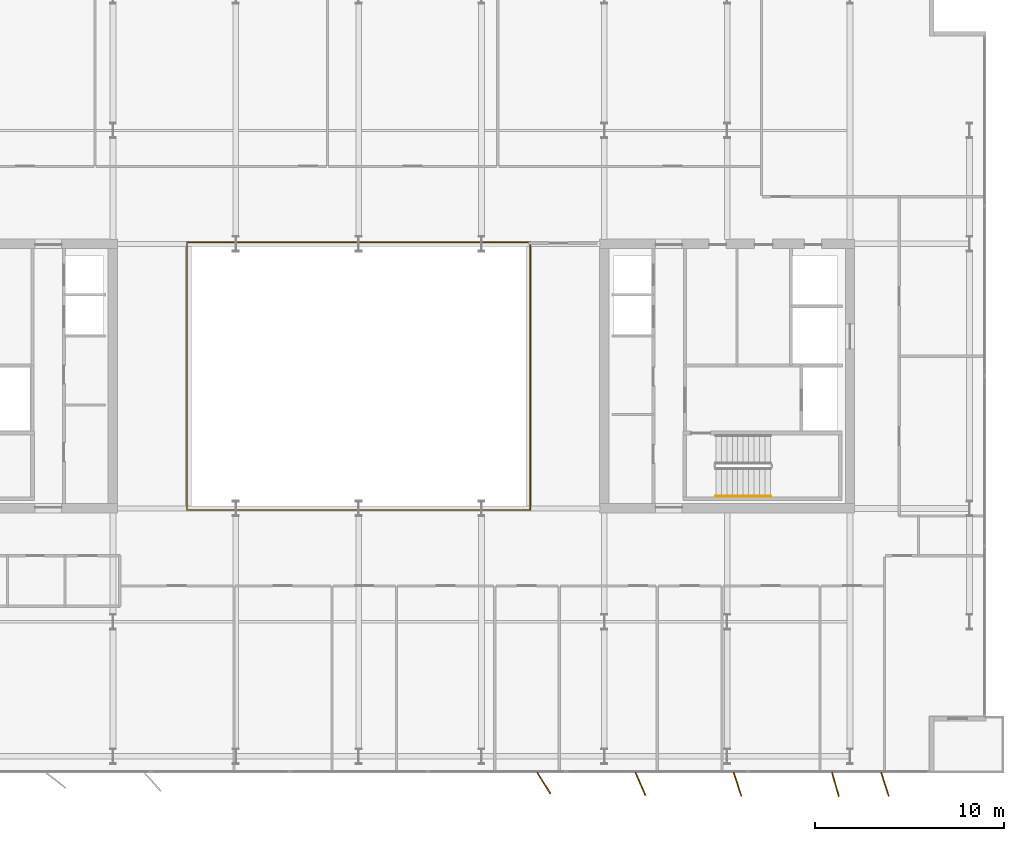
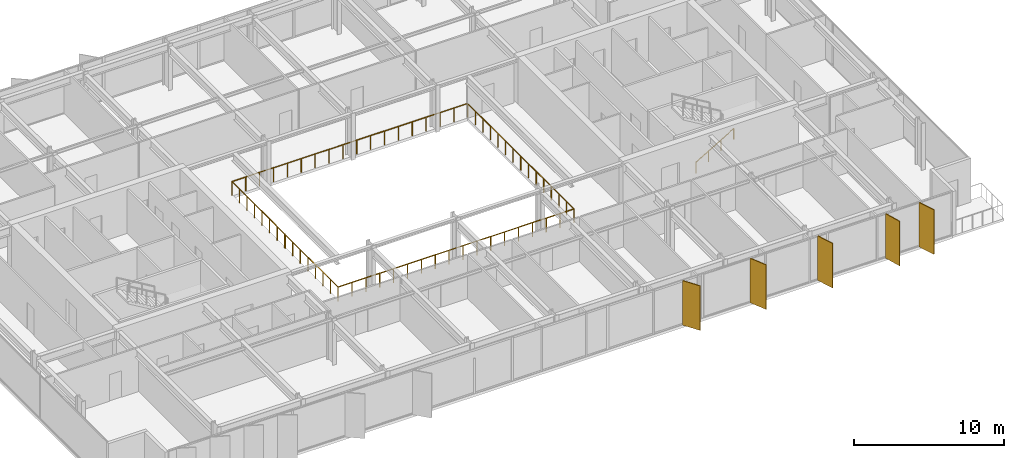
# One storey, part 22 of 24: 5 shading devices, 3 railings.
"""IFC4 building model written with IfcOpenShell, lengths in metres."""

from ifc_helpers import new_model, si_unit, direction, frame, origin, origin_2d, place, context, subcontext, project, spatial, rectangle, circle, extrude, material, layer, layer_set, type_object, element, save


model = new_model("IFC4")

# Units and contexts
model_context = context("Model", 3, precision=1e-05, world=origin(), true_north=direction((0.0, 1.0)))
body_context = subcontext(model_context, "Body", "Model", "MODEL_VIEW")
ifc_project = project(units=[si_unit("LENGTHUNIT", "METRE"), si_unit("AREAUNIT", "SQUARE_METRE"), si_unit("VOLUMEUNIT", "CUBIC_METRE"), si_unit("PLANEANGLEUNIT", "RADIAN"), si_unit("MASSUNIT", "GRAM", prefix="KILO")], contexts=[model_context])

# Site, building, storey
site_placement = place(None, origin())
site = spatial("IfcSite", under=ifc_project, at=site_placement, CompositionType="ELEMENT")
building_placement = place(site_placement, origin())
building = spatial("IfcBuilding", under=site, at=building_placement, Name="Putna Gate Headquarters", CompositionType="ELEMENT")
storey_placement = place(building_placement, frame((0.0, 0.0, 244.199951171875)))
storey = spatial("IfcBuildingStorey", under=building, at=storey_placement, Name="L61", CompositionType="ELEMENT", Elevation=244.199951171875)

# Railings
ifc_material_1 = material(Name="Anodised bronze and laminated glass atrium balustrade", Category="glass")
railing_type_1 = type_object("IfcRailingType", Name="RAIL-ATRIUM-GUARD-1150", PredefinedType="GUARDRAIL", material=ifc_material_1)
railing_1_placement = place(storey_placement, frame((29.919921875, 25.969970703125, 0.0)))
element("IfcRailing", 1, at=railing_1_placement, inside=storey, type_object=railing_type_1, Name="L61 Central Atrium Glazed Balustrade South", PredefinedType="GUARDRAIL", context=body_context, shape_type="SweptSolid", body=[
    extrude(circle(Radius=0.02392578125, at=origin_2d()), frame((0.0, 0.0, 1.1259765625), z_axis=(0.0, -1.0, 0.0), x_axis=(1.0, 0.0, 0.0)), (0.0, 0.0, 1.0), 7.050048828125),
    extrude(circle(Radius=0.02392578125, at=origin_2d()), frame((0.0, -7.050048828125, 1.1259765625), z_axis=(1.0, 0.0, 0.0), x_axis=(0.0, 1.0, 0.0)), (0.0, 0.0, 1.0), 18.16015625),
    extrude(circle(Radius=0.02392578125, at=origin_2d()), frame((18.16015625, -7.050048828125, 1.1259765625), z_axis=(0.0, 1.0, 0.0), x_axis=(-1.0, 0.0, 0.0)), (0.0, 0.0, 1.0), 7.050048828125),
    extrude(circle(Radius=0.02099609375, at=origin_2d()), origin(), (0.0, 0.0, 1.0), 1.101806640625),
    extrude(circle(Radius=0.02099609375, at=origin_2d()), frame((0.0, -1.007080078125, 0.0)), (0.0, 0.0, 1.0), 1.101806640625),
    extrude(circle(Radius=0.02099609375, at=origin_2d()), frame((0.0, -2.014404296875, 0.0)), (0.0, 0.0, 1.0), 1.101806640625),
    extrude(circle(Radius=0.02099609375, at=origin_2d()), frame((0.0, -3.021484375, 0.0)), (0.0, 0.0, 1.0), 1.101806640625),
    extrude(circle(Radius=0.02099609375, at=origin_2d()), frame((0.0, -4.028564453125, 0.0)), (0.0, 0.0, 1.0), 1.101806640625),
    extrude(circle(Radius=0.02099609375, at=origin_2d()), frame((0.0, -5.03564453125, 0.0)), (0.0, 0.0, 1.0), 1.101806640625),
    extrude(circle(Radius=0.02099609375, at=origin_2d()), frame((0.0, -6.04296875, 0.0)), (0.0, 0.0, 1.0), 1.101806640625),
    extrude(circle(Radius=0.02099609375, at=origin_2d()), frame((0.0, -7.050048828125, 0.0)), (0.0, 0.0, 1.0), 1.101806640625),
    extrude(circle(Radius=0.02099609375, at=origin_2d()), frame((1.068359375, -7.050048828125, 0.0)), (0.0, 0.0, 1.0), 1.101806640625),
    extrude(circle(Radius=0.02099609375, at=origin_2d()), frame((2.136474609375, -7.050048828125, 0.0)), (0.0, 0.0, 1.0), 1.101806640625),
    extrude(circle(Radius=0.02099609375, at=origin_2d()), frame((3.204833984375, -7.050048828125, 0.0)), (0.0, 0.0, 1.0), 1.101806640625),
    extrude(circle(Radius=0.02099609375, at=origin_2d()), frame((4.27294921875, -7.050048828125, 0.0)), (0.0, 0.0, 1.0), 1.101806640625),
    extrude(circle(Radius=0.02099609375, at=origin_2d()), frame((5.34130859375, -7.050048828125, 0.0)), (0.0, 0.0, 1.0), 1.101806640625),
    extrude(circle(Radius=0.02099609375, at=origin_2d()), frame((6.409423828125, -7.050048828125, 0.0)), (0.0, 0.0, 1.0), 1.101806640625),
    extrude(circle(Radius=0.02099609375, at=origin_2d()), frame((7.477783203125, -7.050048828125, 0.0)), (0.0, 0.0, 1.0), 1.101806640625),
    extrude(circle(Radius=0.02099609375, at=origin_2d()), frame((8.5458984375, -7.050048828125, 0.0)), (0.0, 0.0, 1.0), 1.101806640625),
    extrude(circle(Radius=0.02099609375, at=origin_2d()), frame((9.6142578125, -7.050048828125, 0.0)), (0.0, 0.0, 1.0), 1.101806640625),
    extrude(circle(Radius=0.02099609375, at=origin_2d()), frame((10.682373046875, -7.050048828125, 0.0)), (0.0, 0.0, 1.0), 1.101806640625),
    extrude(circle(Radius=0.02099609375, at=origin_2d()), frame((11.750732421875, -7.050048828125, 0.0)), (0.0, 0.0, 1.0), 1.101806640625),
    extrude(circle(Radius=0.02099609375, at=origin_2d()), frame((12.81884765625, -7.050048828125, 0.0)), (0.0, 0.0, 1.0), 1.101806640625),
    extrude(circle(Radius=0.02099609375, at=origin_2d()), frame((13.88720703125, -7.050048828125, 0.0)), (0.0, 0.0, 1.0), 1.101806640625),
    extrude(circle(Radius=0.02099609375, at=origin_2d()), frame((14.955322265625, -7.050048828125, 0.0)), (0.0, 0.0, 1.0), 1.101806640625),
    extrude(circle(Radius=0.02099609375, at=origin_2d()), frame((16.023681640625, -7.050048828125, 0.0)), (0.0, 0.0, 1.0), 1.101806640625),
    extrude(circle(Radius=0.02099609375, at=origin_2d()), frame((17.091796875, -7.050048828125, 0.0)), (0.0, 0.0, 1.0), 1.101806640625),
    extrude(circle(Radius=0.02099609375, at=origin_2d()), frame((18.16015625, -7.050048828125, 0.0)), (0.0, 0.0, 1.0), 1.101806640625),
    extrude(circle(Radius=0.02099609375, at=origin_2d()), frame((18.16015625, -6.04296875, 0.0)), (0.0, 0.0, 1.0), 1.101806640625),
    extrude(circle(Radius=0.02099609375, at=origin_2d()), frame((18.16015625, -5.03564453125, 0.0)), (0.0, 0.0, 1.0), 1.101806640625),
    extrude(circle(Radius=0.02099609375, at=origin_2d()), frame((18.16015625, -4.028564453125, 0.0)), (0.0, 0.0, 1.0), 1.101806640625),
    extrude(circle(Radius=0.02099609375, at=origin_2d()), frame((18.16015625, -3.021484375, 0.0)), (0.0, 0.0, 1.0), 1.101806640625),
    extrude(circle(Radius=0.02099609375, at=origin_2d()), frame((18.16015625, -2.014404296875, 0.0)), (0.0, 0.0, 1.0), 1.101806640625),
    extrude(circle(Radius=0.02099609375, at=origin_2d()), frame((18.16015625, -1.007080078125, 0.0)), (0.0, 0.0, 1.0), 1.101806640625),
    extrude(circle(Radius=0.02099609375, at=origin_2d()), frame((18.16015625, 0.0, 0.0)), (0.0, 0.0, 1.0), 1.101806640625),
])
railing_2_placement = place(storey_placement, frame((48.080078125, 26.030029296875, 0.0)))
element("IfcRailing", 2, at=railing_2_placement, inside=storey, type_object=railing_type_1, Name="L61 Central Atrium Glazed Balustrade North", PredefinedType="GUARDRAIL", context=body_context, shape_type="SweptSolid", body=[
    extrude(circle(Radius=0.02392578125, at=origin_2d()), frame((0.0, 0.0, 1.1259765625), z_axis=(0.0, 1.0, 0.0), x_axis=(-1.0, 0.0, 0.0)), (0.0, 0.0, 1.0), 7.050048828125),
    extrude(circle(Radius=0.02392578125, at=origin_2d()), frame((0.0, 7.050048828125, 1.1259765625), z_axis=(-1.0, 0.0, 0.0), x_axis=(0.0, -1.0, 0.0)), (0.0, 0.0, 1.0), 18.16015625),
    extrude(circle(Radius=0.02392578125, at=origin_2d()), frame((-18.16015625, 7.050048828125, 1.1259765625), z_axis=(0.0, -1.0, 0.0), x_axis=(1.0, 0.0, 0.0)), (0.0, 0.0, 1.0), 7.050048828125),
    extrude(circle(Radius=0.02099609375, at=origin_2d()), origin(), (0.0, 0.0, 1.0), 1.101806640625),
    extrude(circle(Radius=0.02099609375, at=origin_2d()), frame((0.0, 1.007080078125, 0.0)), (0.0, 0.0, 1.0), 1.101806640625),
    extrude(circle(Radius=0.02099609375, at=origin_2d()), frame((0.0, 2.014404296875, 0.0)), (0.0, 0.0, 1.0), 1.101806640625),
    extrude(circle(Radius=0.02099609375, at=origin_2d()), frame((0.0, 3.021484375, 0.0)), (0.0, 0.0, 1.0), 1.101806640625),
    extrude(circle(Radius=0.02099609375, at=origin_2d()), frame((0.0, 4.028564453125, 0.0)), (0.0, 0.0, 1.0), 1.101806640625),
    extrude(circle(Radius=0.02099609375, at=origin_2d()), frame((0.0, 5.03564453125, 0.0)), (0.0, 0.0, 1.0), 1.101806640625),
    extrude(circle(Radius=0.02099609375, at=origin_2d()), frame((0.0, 6.04296875, 0.0)), (0.0, 0.0, 1.0), 1.101806640625),
    extrude(circle(Radius=0.02099609375, at=origin_2d()), frame((0.0, 7.050048828125, 0.0)), (0.0, 0.0, 1.0), 1.101806640625),
    extrude(circle(Radius=0.02099609375, at=origin_2d()), frame((-1.068359375, 7.050048828125, 0.0)), (0.0, 0.0, 1.0), 1.101806640625),
    extrude(circle(Radius=0.02099609375, at=origin_2d()), frame((-2.136474609375, 7.050048828125, 0.0)), (0.0, 0.0, 1.0), 1.101806640625),
    extrude(circle(Radius=0.02099609375, at=origin_2d()), frame((-3.204833984375, 7.050048828125, 0.0)), (0.0, 0.0, 1.0), 1.101806640625),
    extrude(circle(Radius=0.02099609375, at=origin_2d()), frame((-4.27294921875, 7.050048828125, 0.0)), (0.0, 0.0, 1.0), 1.101806640625),
    extrude(circle(Radius=0.02099609375, at=origin_2d()), frame((-5.34130859375, 7.050048828125, 0.0)), (0.0, 0.0, 1.0), 1.101806640625),
    extrude(circle(Radius=0.02099609375, at=origin_2d()), frame((-6.409423828125, 7.050048828125, 0.0)), (0.0, 0.0, 1.0), 1.101806640625),
    extrude(circle(Radius=0.02099609375, at=origin_2d()), frame((-7.477783203125, 7.050048828125, 0.0)), (0.0, 0.0, 1.0), 1.101806640625),
    extrude(circle(Radius=0.02099609375, at=origin_2d()), frame((-8.5458984375, 7.050048828125, 0.0)), (0.0, 0.0, 1.0), 1.101806640625),
    extrude(circle(Radius=0.02099609375, at=origin_2d()), frame((-9.6142578125, 7.050048828125, 0.0)), (0.0, 0.0, 1.0), 1.101806640625),
    extrude(circle(Radius=0.02099609375, at=origin_2d()), frame((-10.682373046875, 7.050048828125, 0.0)), (0.0, 0.0, 1.0), 1.101806640625),
    extrude(circle(Radius=0.02099609375, at=origin_2d()), frame((-11.750732421875, 7.050048828125, 0.0)), (0.0, 0.0, 1.0), 1.101806640625),
    extrude(circle(Radius=0.02099609375, at=origin_2d()), frame((-12.81884765625, 7.050048828125, 0.0)), (0.0, 0.0, 1.0), 1.101806640625),
    extrude(circle(Radius=0.02099609375, at=origin_2d()), frame((-13.88720703125, 7.050048828125, 0.0)), (0.0, 0.0, 1.0), 1.101806640625),
    extrude(circle(Radius=0.02099609375, at=origin_2d()), frame((-14.955322265625, 7.050048828125, 0.0)), (0.0, 0.0, 1.0), 1.101806640625),
    extrude(circle(Radius=0.02099609375, at=origin_2d()), frame((-16.023681640625, 7.050048828125, 0.0)), (0.0, 0.0, 1.0), 1.101806640625),
    extrude(circle(Radius=0.02099609375, at=origin_2d()), frame((-17.091796875, 7.050048828125, 0.0)), (0.0, 0.0, 1.0), 1.101806640625),
    extrude(circle(Radius=0.02099609375, at=origin_2d()), frame((-18.16015625, 7.050048828125, 0.0)), (0.0, 0.0, 1.0), 1.101806640625),
    extrude(circle(Radius=0.02099609375, at=origin_2d()), frame((-18.16015625, 6.04296875, 0.0)), (0.0, 0.0, 1.0), 1.101806640625),
    extrude(circle(Radius=0.02099609375, at=origin_2d()), frame((-18.16015625, 5.03564453125, 0.0)), (0.0, 0.0, 1.0), 1.101806640625),
    extrude(circle(Radius=0.02099609375, at=origin_2d()), frame((-18.16015625, 4.028564453125, 0.0)), (0.0, 0.0, 1.0), 1.101806640625),
    extrude(circle(Radius=0.02099609375, at=origin_2d()), frame((-18.16015625, 3.021484375, 0.0)), (0.0, 0.0, 1.0), 1.101806640625),
    extrude(circle(Radius=0.02099609375, at=origin_2d()), frame((-18.16015625, 2.014404296875, 0.0)), (0.0, 0.0, 1.0), 1.101806640625),
    extrude(circle(Radius=0.02099609375, at=origin_2d()), frame((-18.16015625, 1.007080078125, 0.0)), (0.0, 0.0, 1.0), 1.101806640625),
    extrude(circle(Radius=0.02099609375, at=origin_2d()), frame((-18.16015625, 0.0, 0.0)), (0.0, 0.0, 1.0), 1.101806640625),
])
ifc_material_2 = material(Name="Brushed stainless steel handrail", Category="steel")
railing_type_2 = type_object("IfcRailingType", Name="RAIL-STAIR-HAND-900", PredefinedType="HANDRAIL", material=ifc_material_2)
railing_3_placement = place(storey_placement, frame((57.89990234375, 19.64990234375, 0.1728515625)))
element("IfcRailing", 3, at=railing_3_placement, inside=storey, type_object=railing_type_2, Name="L61 ST2 stair handrail 1", PredefinedType="HANDRAIL", context=body_context, shape_type="SweptSolid", body=[
    extrude(circle(Radius=0.02392578125, at=origin_2d()), frame((0.0, 0.0, 0.8759765625), z_axis=(0.859160404282, 0.0, 0.51170636083), x_axis=(0.0, 1.0, 0.0)), (0.0, 0.0, 1.0), 3.37548828125),
    extrude(circle(Radius=0.02099609375, at=origin_2d()), origin(), (0.0, 0.0, 1.0), 0.851806640625),
    extrude(circle(Radius=0.02099609375, at=origin_2d()), frame((0.966796875, 0.0, 0.57568359375)), (0.0, 0.0, 1.0), 0.851806640625),
    extrude(circle(Radius=0.02099609375, at=origin_2d()), frame((1.933349609375, 0.0, 1.151611328125)), (0.0, 0.0, 1.0), 0.851806640625),
    extrude(circle(Radius=0.02099609375, at=origin_2d()), frame((2.900146484375, 0.0, 1.727294921875)), (0.0, 0.0, 1.0), 0.851806640625),
])

# Shading devices
ifc_material_3 = material(Name="Anodised architectural bronze aluminium fin", Category="aluminium")
ifc_layer = layer(ifc_material_3, 0.06494140625)
ifc_layer_set = layer_set([ifc_layer], Name="Anodised architectural bronze aluminium fin")
shading_device_type = type_object("IfcShadingDeviceType", Name="SHADE-BRONZE-FIN-1320", PredefinedType="USERDEFINED", material=ifc_layer_set)
for number, where, z_axis, x_axis, name in (
    (4, (48.80029296875, 4.465576171875, -0.02001953125), (0.0, 0.0, 1.0), (0.530659123936, -0.847585331506, 0.0), "L61 Bronze Vertical Shading Fin S7"),
    (5, (53.914306640625, 4.42041015625, -0.02001953125), (0.0, 0.0, 1.0), (0.400668879095, -0.916222925562, 0.0), "L61 Bronze Vertical Shading Fin S8"),
    (6, (59.0537109375, 4.397216796875, -0.02001953125), (0.0, 0.0, 1.0), (0.308684994204, -0.951164325631, 0.0), "L61 Bronze Vertical Shading Fin S9"),
    (7, (64.23193359375, 4.390625, -0.02001953125), (0.0, 0.0, 1.0), (0.275637355817, -0.961261695938, 0.0), "L61 Bronze Vertical Shading Fin S10"),
    (8, (66.853759765625, 4.397216796875, -0.02001953125), (0.0, 0.0, 1.0), (0.308684994204, -0.951164325631, 0.0), "L61 Bronze Vertical Shading Fin S11"),
):
    element("IfcShadingDevice", number, at=place(storey_placement, frame(where, z_axis=z_axis, x_axis=x_axis)), inside=storey, type_object=shading_device_type, Name=name, ObjectType="FIN", PredefinedType="USERDEFINED", context=body_context, shape_type="SweptSolid", body=[
        extrude(rectangle(XDim=1.320068359375, YDim=0.06494140625, at=origin_2d()), origin(), (0.0, 0.0, 1.0), 3.6201171875),
    ])

save(model, "model.ifc")
